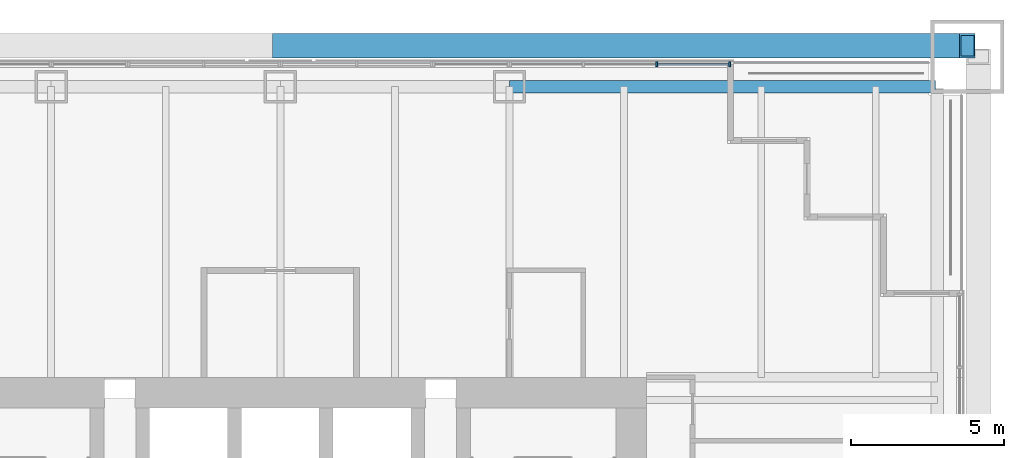
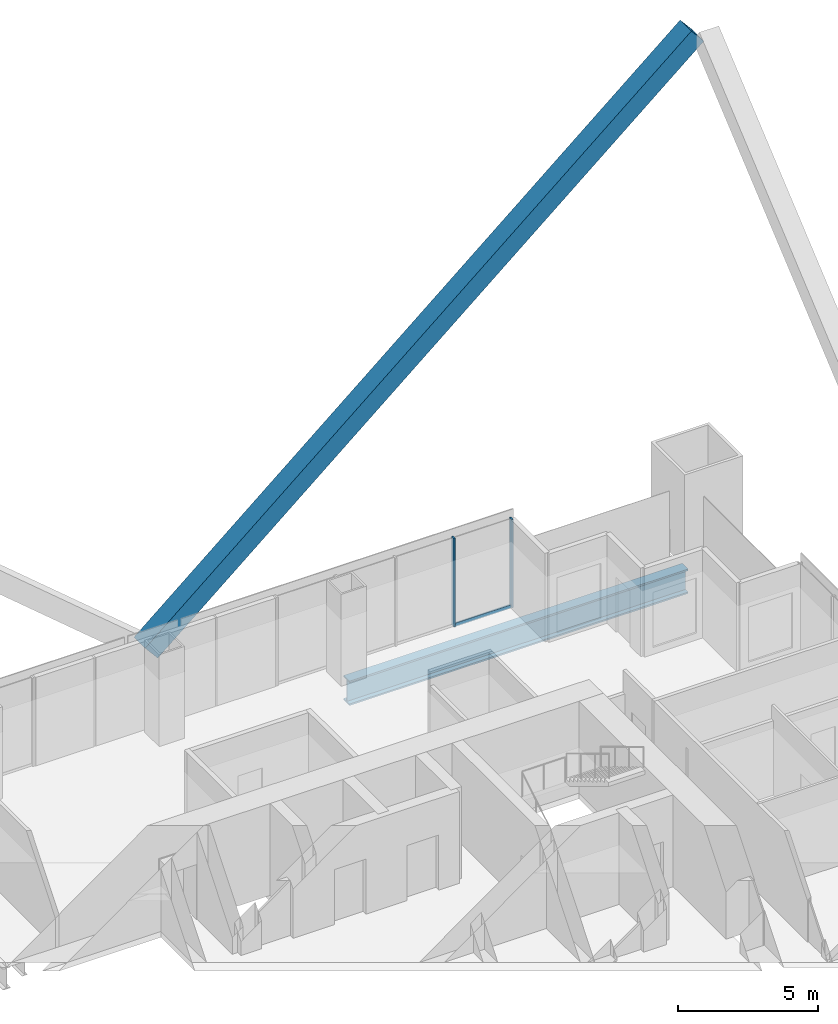
# One storey, part 12 of 19: 4 members, 1 beam, 1 element without a shape of its own.
"""IFC4 building model written with IfcOpenShell, lengths in metres."""

from ifc_helpers import new_model, si_unit, direction, frame, origin, origin_2d, place, context, subcontext, project, spatial, rectangle, hollow_rectangle, i_section, extrude, material, material_profile, profile_set, type_object, element, aggregate, save


model = new_model("IFC4")

# Units and contexts
model_context = context("Model", 3, precision=1e-05, world=origin(), true_north=direction((0.0, 1.0)))
body_context = subcontext(model_context, "Body", "Model", "MODEL_VIEW")
ifc_project = project(units=[si_unit("LENGTHUNIT", "METRE"), si_unit("AREAUNIT", "SQUARE_METRE"), si_unit("VOLUMEUNIT", "CUBIC_METRE"), si_unit("PLANEANGLEUNIT", "RADIAN"), si_unit("MASSUNIT", "GRAM", prefix="KILO")], contexts=[model_context])

# Site, building, storey
site_placement = place(None, origin())
site = spatial("IfcSite", under=ifc_project, at=site_placement, CompositionType="ELEMENT")
building_placement = place(site_placement, origin())
building = spatial("IfcBuilding", under=site, at=building_placement, Name="Tarangal Relay Tower", CompositionType="ELEMENT")
storey_placement = place(building_placement, frame((0.0, 0.0, 193.89990234375)))
storey = spatial("IfcBuildingStorey", under=building, at=storey_placement, Name="L40", CompositionType="ELEMENT", Elevation=193.89990234375)

# Beam
ifc_material_1 = material(Name="Steel ASTM A992", Category="steel")
ifc_material_profile_1 = material_profile(ifc_material_1, i_section(OverallWidth=0.41650390625, OverallDepth=1.0693359375, WebThickness=0.0390625, FlangeThickness=0.070068359375, at=origin_2d()), Name="W40X503")
ifc_profile_set_1 = profile_set([ifc_material_profile_1], Name="Steel ASTM A992")
beam_type = type_object("IfcBeamType", Name="Edge girder W40X503", PredefinedType="SPANDREL", material=ifc_profile_set_1)
beam_placement = place(storey_placement, frame((7.5, 21.514892578125, -0.6845703125), z_axis=(1.0, 0.0, 0.0), x_axis=(0.0, 1.0, 0.0)))
element("IfcBeam", 1, at=beam_placement, inside=storey, type_object=beam_type, Name="Edge girder EG8 N L40", PredefinedType="SPANDREL", context=body_context, shape_type="SweptSolid", body=[
    extrude(i_section(OverallWidth=0.41650390625, OverallDepth=1.0693359375, WebThickness=0.0390625, FlangeThickness=0.070068359375, at=origin_2d()), origin(), (0.0, 0.0, 1.0), 13.949951171875),
])

# Member
ifc_material_2 = material(Name="Steel ASTM A572 Grade 50", Category="steel")
ifc_material_profile_2 = material_profile(ifc_material_2, hollow_rectangle(XDim=0.800048828125, YDim=0.800048828125, WallThickness=0.06494140625, at=origin_2d()), Name="BOX800X800X65")
ifc_profile_set_2 = profile_set([ifc_material_profile_2], Name="Steel ASTM A572 Grade 50")
member_type_1 = type_object("IfcMemberType", Name="Mega brace BOX800X800X65", PredefinedType="BRACE", material=ifc_profile_set_2)
member_1_placement = place(storey_placement, frame((0.0, 22.85009765625, 3.0), z_axis=(0.764029915847, 0.0, 0.645180817826), x_axis=(0.0, 1.0, 0.0)))
element("IfcMember", 2, at=member_1_placement, inside=storey, type_object=member_type_1, Name="Mega brace MB3 N face module 1", PredefinedType="BRACE", context=body_context, shape_type="SweptSolid", body=[
    extrude(hollow_rectangle(XDim=0.800048828125, YDim=0.800048828125, WallThickness=0.06494140625, at=origin_2d()), origin(), (0.0, 0.0, 1.0), 29.44921875),
])

# Curtain wall, members
ifc_material_3 = material(Name="Unitised curtain wall, dark glass and black aluminium", Category="aluminium")
curtain_wall_type = type_object("IfcCurtainWallType", Name="Curtain wall CW-A", PredefinedType="USERDEFINED", material=ifc_material_3)
curtain_wall_placement = place(storey_placement, origin())
curtain_wall = element("IfcCurtainWall", 3, at=curtain_wall_placement, inside=storey, type_object=curtain_wall_type, Name="Curtain wall CW-A N facade L40", ObjectType="UNITISED CURTAIN WALL", PredefinedType="USERDEFINED")
ifc_material_4 = material(Name="Black anodised aluminium mullion", Category="aluminium")
ifc_material_profile_3 = material_profile(ifc_material_4, rectangle(XDim=0.175048828125, YDim=0.06494140625, at=origin_2d()), Name="CW-AM 65X175")
ifc_profile_set_3 = profile_set([ifc_material_profile_3], Name="Black anodised aluminium mullion")
member_type_2 = type_object("IfcMemberType", Name="Mullion CW-A 65 x 175", PredefinedType="MULLION", material=ifc_profile_set_3)
member_2_placement = place(storey_placement, frame((12.333251953125, 22.25, 0.0), z_axis=(0.0, 0.0, 1.0), x_axis=(0.0, 1.0, 0.0)))
member_2 = element("IfcMember", 4, at=member_2_placement, type_object=member_type_2, Name="CW-A mullion 3", PredefinedType="MULLION", context=body_context, shape_type="SweptSolid", body=[
    extrude(rectangle(XDim=0.175048828125, YDim=0.06494140625, at=origin_2d()), origin(), (0.0, 0.0, 1.0), 3.85009765625),
])
member_3_placement = place(storey_placement, frame((14.717529296875, 22.25, 0.0), z_axis=(0.0, 0.0, 1.0), x_axis=(0.0, 1.0, 0.0)))
member_3 = element("IfcMember", 5, at=member_3_placement, type_object=member_type_2, Name="CW-A mullion 4", PredefinedType="MULLION", context=body_context, shape_type="SweptSolid", body=[
    extrude(rectangle(XDim=0.175048828125, YDim=0.06494140625, at=origin_2d()), origin(), (0.0, 0.0, 1.0), 3.85009765625),
])
ifc_material_5 = material(Name="Black anodised aluminium transom", Category="aluminium")
ifc_material_profile_4 = material_profile(ifc_material_5, rectangle(XDim=0.06494140625, YDim=0.14990234375, at=origin_2d()), Name="CW-AT 65X150")
ifc_profile_set_4 = profile_set([ifc_material_profile_4], Name="Black anodised aluminium transom")
member_type_3 = type_object("IfcMemberType", Name="Transom CW-A 65 x 150", PredefinedType="USERDEFINED", material=ifc_profile_set_4)
member_4_placement = place(storey_placement, frame((12.36572265625, 22.25, 0.03271484375), z_axis=(1.0, 0.0, 0.0), x_axis=(0.0, 1.0, 0.0)))
member_4 = element("IfcMember", 6, at=member_4_placement, type_object=member_type_3, Name="CW-A transom 3.1", ObjectType="TRANSOM", PredefinedType="USERDEFINED", context=body_context, shape_type="SweptSolid", body=[
    extrude(rectangle(XDim=0.06494140625, YDim=0.14990234375, at=origin_2d()), origin(), (0.0, 0.0, 1.0), 2.3193359375),
])
aggregate(curtain_wall, [member_2, member_3, member_4])

save(model, "model.ifc")
